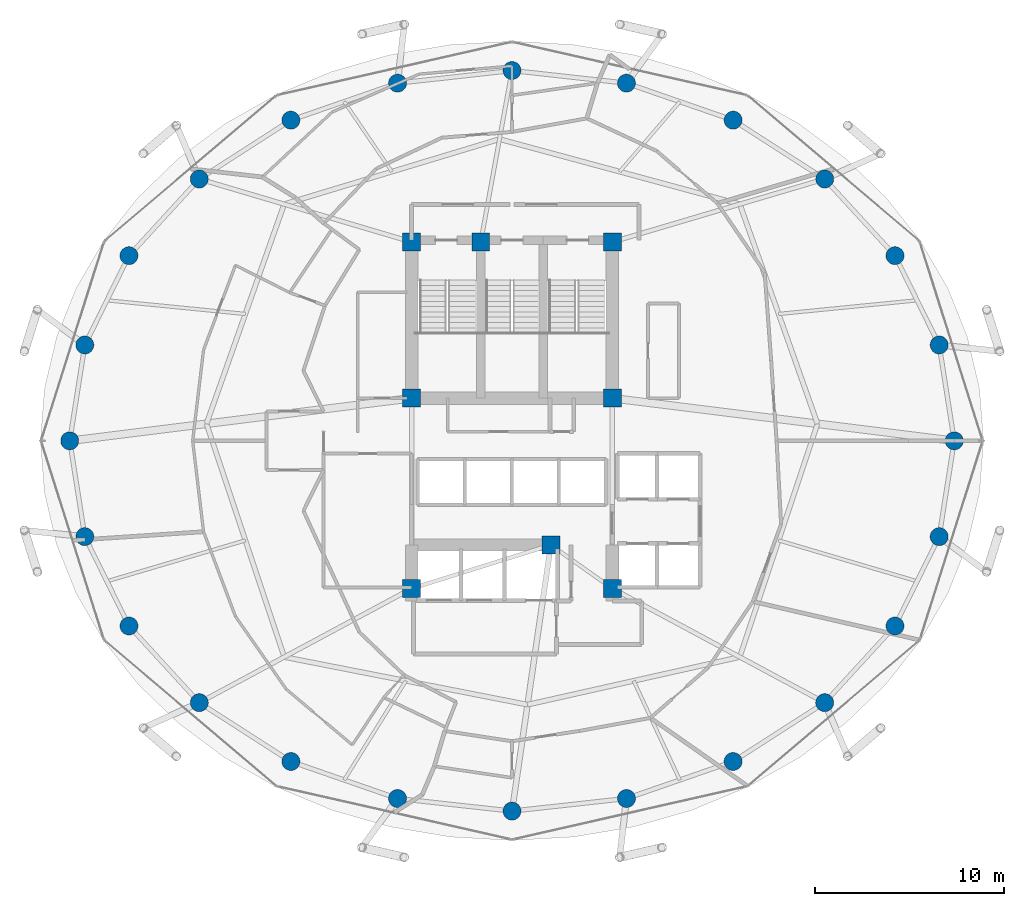
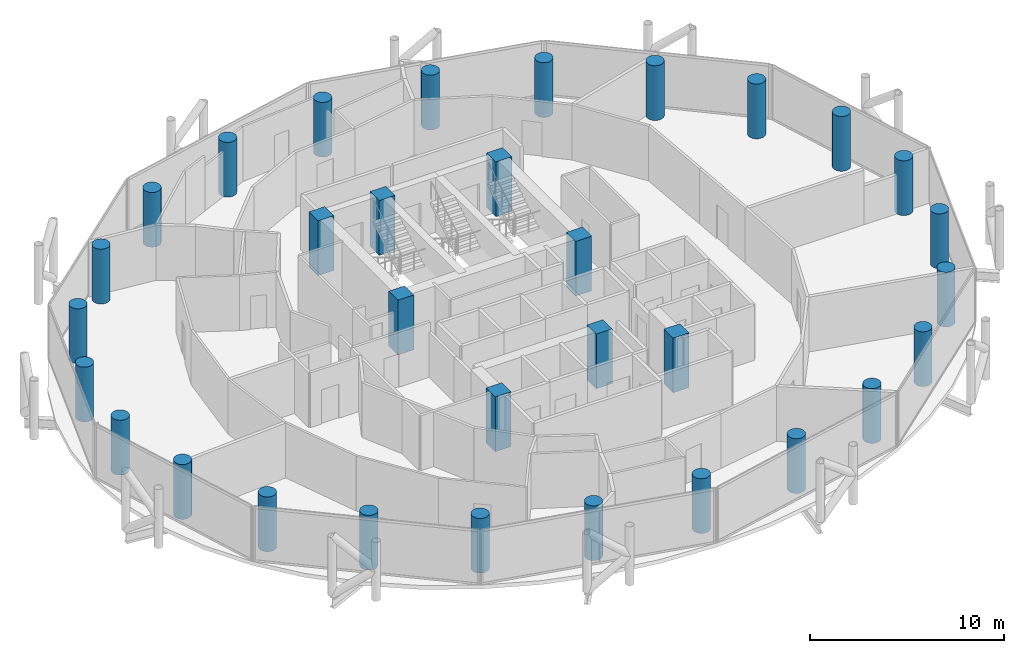
# One storey, part 1 of 27: 32 columns.
"""IFC4 building model written with IfcOpenShell, lengths in metres."""

from ifc_helpers import new_model, si_unit, direction, frame, origin, origin_2d, place, context, subcontext, project, spatial, rectangle, circle, extrude, material, material_profile, profile_set, type_object, element, save


model = new_model("IFC4")

# Units and contexts
model_context = context("Model", 3, precision=1e-05, world=origin(), true_north=direction((0.0, 1.0)))
body_context = subcontext(model_context, "Body", "Model", "MODEL_VIEW")
ifc_project = project(units=[si_unit("LENGTHUNIT", "METRE"), si_unit("AREAUNIT", "SQUARE_METRE"), si_unit("VOLUMEUNIT", "CUBIC_METRE"), si_unit("PLANEANGLEUNIT", "RADIAN"), si_unit("MASSUNIT", "GRAM", prefix="KILO")], contexts=[model_context])

# Site, building, storey
site_placement = place(None, origin())
site = spatial("IfcSite", under=ifc_project, at=site_placement, CompositionType="ELEMENT")
building_placement = place(site_placement, origin())
building = spatial("IfcBuilding", under=site, at=building_placement, Name="Nuhasar Tower", CompositionType="ELEMENT")
storey_placement = place(building_placement, frame((0.0, 0.0, 158.949951171875)))
storey = spatial("IfcBuildingStorey", under=building, at=storey_placement, Name="L38", CompositionType="ELEMENT", Elevation=158.949951171875)

# Columns
ifc_material = material(Name="Concrete C65/80", Category="concrete")
ifc_material_profile_1 = material_profile(ifc_material, circle(Radius=0.47509765625, at=origin_2d()), Name="CFT950")
ifc_profile_set_1 = profile_set([ifc_material_profile_1], Name="Concrete C65/80")
column_type_1 = type_object("IfcColumnType", Name="COL-CFT-950", PredefinedType="COLUMN", material=ifc_profile_set_1)
for number, where, z_axis, x_axis, name in (
    (1, (62.35009765625, 26.800048828125, 0.0), (0.0, 0.0, 1.0), (1.0, 0.0, 0.0), "L38 Perimeter Composite Column TC-01"),
    (2, (61.553955078125, 31.860107421875, 0.0), (0.0, 0.0, 1.0), (1.0, 0.0, 0.0), "L38 Perimeter Composite Column TC-02"),
    (3, (59.221923828125, 36.574951171875, 0.0), (0.0, 0.0, 1.0), (1.0, 0.0, 0.0), "L38 Perimeter Composite Column TC-03"),
    (4, (55.510986328125, 40.6240234375, 0.0), (0.0, 0.0, 1.0), (1.0, 0.0, 0.0), "L38 Perimeter Composite Column TC-04"),
    (5, (50.675048828125, 43.73095703125, 0.0), (0.0, 0.0, 1.0), (1.0, 0.0, 0.0), "L38 Perimeter Composite Column TC-05"),
    (6, (45.04296875, 45.68408203125, 0.0), (0.0, 0.0, 1.0), (1.0, 0.0, 0.0), "L38 Perimeter Composite Column TC-06"),
    (7, (39.0, 46.35009765625, 0.0), (0.0, 0.0, 1.0), (1.0, 0.0, 0.0), "L38 Perimeter Composite Column TC-07"),
    (8, (32.95703125, 45.68408203125, 0.0), (0.0, 0.0, 1.0), (1.0, 0.0, 0.0), "L38 Perimeter Composite Column TC-08"),
    (9, (27.324951171875, 43.73095703125, 0.0), (0.0, 0.0, 1.0), (1.0, 0.0, 0.0), "L38 Perimeter Composite Column TC-09"),
    (10, (22.489013671875, 40.6240234375, 0.0), (0.0, 0.0, 1.0), (1.0, 0.0, 0.0), "L38 Perimeter Composite Column TC-10"),
    (11, (18.778076171875, 36.574951171875, 0.0), (0.0, 0.0, 1.0), (1.0, 0.0, 0.0), "L38 Perimeter Composite Column TC-11"),
    (12, (16.446044921875, 31.860107421875, 0.0), (0.0, 0.0, 1.0), (1.0, 0.0, 0.0), "L38 Perimeter Composite Column TC-12"),
    (13, (15.64990234375, 26.800048828125, 0.0), (0.0, 0.0, 1.0), (1.0, 0.0, 0.0), "L38 Perimeter Composite Column TC-13"),
    (14, (16.446044921875, 21.739990234375, 0.0), (0.0, 0.0, 1.0), (1.0, 0.0, 0.0), "L38 Perimeter Composite Column TC-14"),
    (15, (18.778076171875, 17.02490234375, 0.0), (0.0, 0.0, 1.0), (1.0, 0.0, 0.0), "L38 Perimeter Composite Column TC-15"),
    (16, (22.489013671875, 12.97607421875, 0.0), (0.0, 0.0, 1.0), (1.0, 0.0, 0.0), "L38 Perimeter Composite Column TC-16"),
    (17, (27.324951171875, 9.868896484375, 0.0), (0.0, 0.0, 1.0), (1.0, 0.0, 0.0), "L38 Perimeter Composite Column TC-17"),
    (18, (32.95703125, 7.916015625, 0.0), (0.0, 0.0, 1.0), (1.0, 0.0, 0.0), "L38 Perimeter Composite Column TC-18"),
    (19, (39.0, 7.25, 0.0), (0.0, 0.0, 1.0), (1.0, 0.0, 0.0), "L38 Perimeter Composite Column TC-19"),
    (20, (45.04296875, 7.916015625, 0.0), (0.0, 0.0, 1.0), (1.0, 0.0, 0.0), "L38 Perimeter Composite Column TC-20"),
    (21, (50.675048828125, 9.868896484375, 0.0), (0.0, 0.0, 1.0), (1.0, 0.0, 0.0), "L38 Perimeter Composite Column TC-21"),
    (22, (55.510986328125, 12.97607421875, 0.0), (0.0, 0.0, 1.0), (1.0, 0.0, 0.0), "L38 Perimeter Composite Column TC-22"),
    (23, (59.221923828125, 17.02490234375, 0.0), (0.0, 0.0, 1.0), (1.0, 0.0, 0.0), "L38 Perimeter Composite Column TC-23"),
    (24, (61.553955078125, 21.739990234375, 0.0), (0.0, 0.0, 1.0), (1.0, 0.0, 0.0), "L38 Perimeter Composite Column TC-24"),
):
    element("IfcColumn", number, at=place(storey_placement, frame(where, z_axis=z_axis, x_axis=x_axis)), inside=storey, type_object=column_type_1, Name=name, PredefinedType="COLUMN", context=body_context, shape_type="SweptSolid", body=[
        extrude(circle(Radius=0.47509765625, at=origin_2d()), origin(), (0.0, 0.0, 1.0), 3.449951171875),
    ])
ifc_material_profile_2 = material_profile(ifc_material, rectangle(XDim=0.949951171875, YDim=0.949951171875, at=origin_2d()), Name="RC950X950")
ifc_profile_set_2 = profile_set([ifc_material_profile_2], Name="Concrete C65/80")
column_type_2 = type_object("IfcColumnType", Name="PIL-RC-950", PredefinedType="PILASTER", material=ifc_profile_set_2)
for number, where, z_axis, x_axis, name in (
    (25, (33.699951171875, 19.0, 0.0), (0.0, 0.0, 1.0), (1.0, 0.0, 0.0), "L38 Core Boundary Pilaster CC-01"),
    (26, (41.050048828125, 21.300048828125, 0.0), (0.0, 0.0, 1.0), (1.0, 0.0, 0.0), "L38 Core Boundary Pilaster CC-02"),
    (27, (44.300048828125, 19.0, 0.0), (0.0, 0.0, 1.0), (1.0, 0.0, 0.0), "L38 Core Boundary Pilaster CC-03"),
    (28, (44.300048828125, 29.050048828125, 0.0), (0.0, 0.0, 1.0), (1.0, 0.0, 0.0), "L38 Core Boundary Pilaster CC-04"),
    (29, (44.300048828125, 37.300048828125, 0.0), (0.0, 0.0, 1.0), (1.0, 0.0, 0.0), "L38 Core Boundary Pilaster CC-05"),
    (30, (37.35009765625, 37.300048828125, 0.0), (0.0, 0.0, 1.0), (1.0, 0.0, 0.0), "L38 Core Boundary Pilaster CC-06"),
    (31, (33.699951171875, 37.300048828125, 0.0), (0.0, 0.0, 1.0), (1.0, 0.0, 0.0), "L38 Core Boundary Pilaster CC-07"),
    (32, (33.699951171875, 29.050048828125, 0.0), (0.0, 0.0, 1.0), (1.0, 0.0, 0.0), "L38 Core Boundary Pilaster CC-08"),
):
    element("IfcColumn", number, at=place(storey_placement, frame(where, z_axis=z_axis, x_axis=x_axis)), inside=storey, type_object=column_type_2, Name=name, PredefinedType="PILASTER", context=body_context, shape_type="SweptSolid", body=[
        extrude(rectangle(XDim=0.949951171875, YDim=0.949951171875, at=origin_2d()), origin(), (0.0, 0.0, 1.0), 3.449951171875),
    ])

save(model, "model.ifc")
